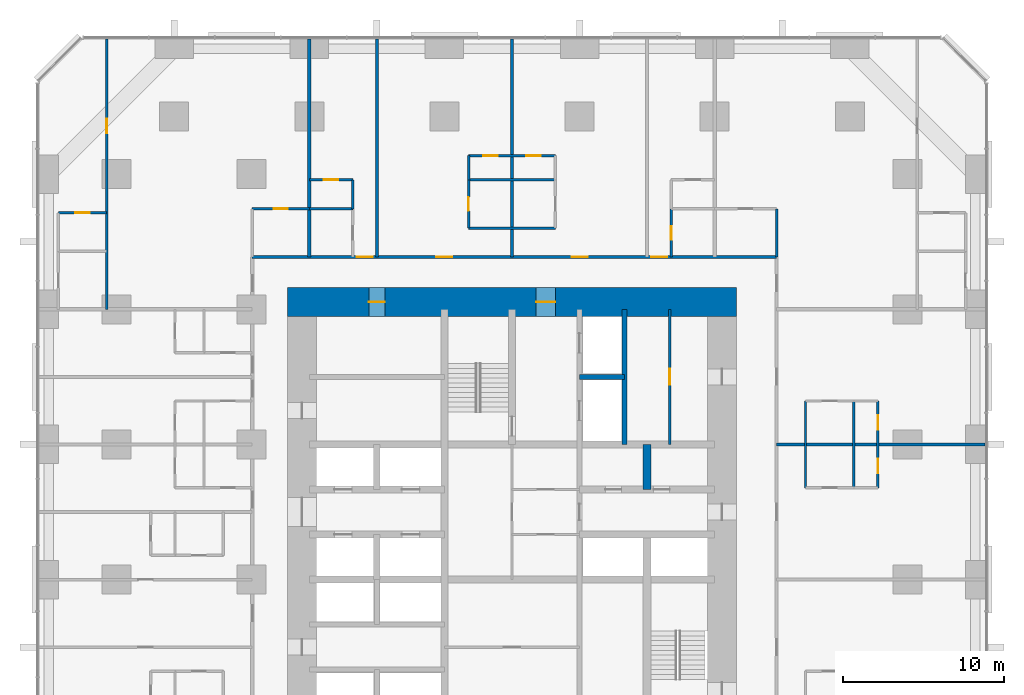
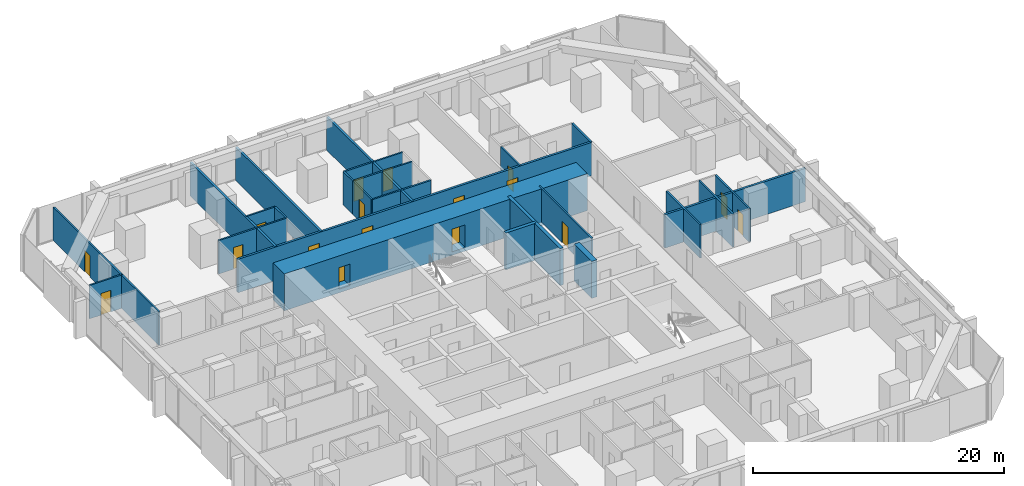
# One storey, part 15 of 17: 26 walls, 17 doors, 17 openings.
"""IFC4 building model written with IfcOpenShell, lengths in metres."""

from ifc_helpers import new_model, si_unit, direction, frame, frame_2d, origin, place, context, subcontext, project, spatial, rectangle, extrude, material, layer, layer_set, type_object, element, fill, save


model = new_model("IFC4")

# Units and contexts
model_context = context("Model", 3, precision=1e-05, world=origin(), true_north=direction((0.0, 1.0)))
body_context = subcontext(model_context, "Body", "Model", "MODEL_VIEW")
ifc_project = project(units=[si_unit("LENGTHUNIT", "METRE"), si_unit("AREAUNIT", "SQUARE_METRE"), si_unit("VOLUMEUNIT", "CUBIC_METRE"), si_unit("PLANEANGLEUNIT", "RADIAN"), si_unit("MASSUNIT", "GRAM", prefix="KILO")], contexts=[model_context])

# Site, building, storey
site_placement = place(None, origin())
site = spatial("IfcSite", under=ifc_project, at=site_placement, CompositionType="ELEMENT")
building_placement = place(site_placement, origin())
building = spatial("IfcBuilding", under=site, at=building_placement, Name="Dunama Terrace Hotel", CompositionType="ELEMENT")
storey_placement = place(building_placement, frame((0.0, 0.0, 41.39990234375)))
storey = spatial("IfcBuildingStorey", under=building, at=storey_placement, Name="L09", CompositionType="ELEMENT", Elevation=41.39990234375)

# Wall, opening, door
ifc_material_1 = material(Name="Gypsum board partition", Category="masonry")
ifc_layer_1 = layer(ifc_material_1, 0.14990234375)
ifc_layer_set_1 = layer_set([ifc_layer_1], Name="Bathroom partition 150")
wall_type_1 = type_object("IfcWallType", Name="Bathroom partition 150", PredefinedType="PARTITIONING", material=ifc_layer_set_1)
wall_1_placement = place(storey_placement, frame((26.699951171875, 47.050048828125, 0.0), z_axis=(0.0, 0.0, 1.0), x_axis=(0.0, 1.0, 0.0)))
wall_1 = element("IfcWall", 1, at=wall_1_placement, inside=storey, type_object=wall_type_1, Name="Bathroom partition 150 L09", PredefinedType="PARTITIONING", context=body_context, shape_type="SweptSolid", body=[
    extrude(rectangle(XDim=3.0, YDim=0.14990234375, at=frame_2d((1.5, 0.0))), origin(), (0.0, 0.0, 1.0), 3.25),
])
opening_1_placement = place(wall_1_placement, frame((1.074951171875, 0.0, 0.0)))
opening_1 = element("IfcOpeningElement", 2, at=opening_1_placement, cuts=wall_1, Name="Opening L07-09-034", PredefinedType="OPENING", context=body_context, shape_type="SweptSolid", body=[
    extrude(rectangle(XDim=0.85009765625, YDim=2.10009765625, at=frame_2d((0.425048828125, 1.050048828125))), frame((0.0, 0.0849609375, 0.0), z_axis=(0.0, -1.0, 0.0), x_axis=(1.0, 0.0, 0.0)), (0.0, 0.0, 1.0), 0.169921875),
])
ifc_material_2 = material(Name="Timber door with steel frame", Category="steel")
door_type_1 = type_object("IfcDoorType", Name="Bathroom door 850", OperationType="SINGLE_SWING_LEFT", PredefinedType="DOOR", material=ifc_material_2)
door_1_placement = place(opening_1_placement, frame((0.85009765625, 0.0, 0.0), z_axis=(0.0, 0.0, 1.0), x_axis=(-1.0, 0.0, 0.0)))
door_1 = element("IfcDoor", 3, at=door_1_placement, inside=storey, type_object=door_type_1, Name="Door to en-suite bathroom L07-09-034, type D2", OperationType="SINGLE_SWING_LEFT", OverallHeight=2.10009765625, OverallWidth=0.85009765625, PredefinedType="DOOR", context=body_context, shape_type="SweptSolid", body=[
    extrude(rectangle(XDim=0.85009765625, YDim=2.10009765625, at=frame_2d((0.425048828125, 1.050048828125))), frame((0.0, 0.025146484375, 0.0), z_axis=(0.0, -1.0, 0.0), x_axis=(1.0, 0.0, 0.0)), (0.0, 0.0, 1.0), 0.050048828125),
])
fill(opening_1, door_1)

wall_2_placement = place(storey_placement, frame((39.300048828125, 45.25, 0.0), z_axis=(0.0, 0.0, 1.0), x_axis=(0.0, 1.0, 0.0)))
wall_2 = element("IfcWall", 4, at=wall_2_placement, inside=storey, type_object=wall_type_1, Name="Bathroom partition 150 L09", PredefinedType="PARTITIONING", context=body_context, shape_type="SweptSolid", body=[
    extrude(rectangle(XDim=3.0, YDim=0.14990234375, at=frame_2d((1.5, 0.0))), origin(), (0.0, 0.0, 1.0), 3.25),
])
opening_2_placement = place(wall_2_placement, frame((1.074951171875, 0.0, 0.0)))
opening_2 = element("IfcOpeningElement", 5, at=opening_2_placement, cuts=wall_2, Name="Opening L07-09-040", PredefinedType="OPENING", context=body_context, shape_type="SweptSolid", body=[
    extrude(rectangle(XDim=0.85009765625, YDim=2.10009765625, at=frame_2d((0.425048828125, 1.050048828125))), frame((0.0, 0.0849609375, 0.0), z_axis=(0.0, -1.0, 0.0), x_axis=(1.0, 0.0, 0.0)), (0.0, 0.0, 1.0), 0.169921875),
])
door_2_placement = place(opening_2_placement, frame((0.85009765625, 0.0, 0.0), z_axis=(0.0, 0.0, 1.0), x_axis=(-1.0, 0.0, 0.0)))
door_2 = element("IfcDoor", 6, at=door_2_placement, inside=storey, type_object=door_type_1, Name="Door to en-suite bathroom L07-09-040, type D2", OperationType="SINGLE_SWING_RIGHT", OverallHeight=2.10009765625, OverallWidth=0.85009765625, PredefinedType="DOOR", context=body_context, shape_type="SweptSolid", body=[
    extrude(rectangle(XDim=0.85009765625, YDim=2.10009765625, at=frame_2d((0.425048828125, 1.050048828125))), frame((0.0, 0.025146484375, 0.0), z_axis=(0.0, -1.0, 0.0), x_axis=(1.0, 0.0, 0.0)), (0.0, 0.0, 1.0), 0.050048828125),
])
fill(opening_2, door_2)

# Walls
wall_3_placement = place(storey_placement, frame((45.85009765625, 45.25, 0.0), z_axis=(0.0, 0.0, 1.0), x_axis=(0.0, 1.0, 0.0)))
element("IfcWall", 7, at=wall_3_placement, inside=storey, type_object=wall_type_1, Name="Bathroom partition 150 L09", PredefinedType="PARTITIONING", context=body_context, shape_type="SweptSolid", body=[
    extrude(rectangle(XDim=3.0, YDim=0.14990234375, at=frame_2d((1.5, 0.0))), origin(), (0.0, 0.0, 1.0), 3.25),
])
for number, where, z_axis, x_axis, name in (
    (8, (47.64990234375, 30.89990234375, 0.0), (0.0, 0.0, 1.0), (0.0, 1.0, 0.0), "Bathroom partition 150 L09"),
    (9, (26.699951171875, 47.050048828125, 0.0), (0.0, 0.0, 1.0), (1.0, 0.0, 0.0), "Bathroom partition 150 L09"),
):
    element("IfcWall", number, at=place(storey_placement, frame(where, z_axis=z_axis, x_axis=x_axis)), inside=storey, type_object=wall_type_1, Name=name, PredefinedType="PARTITIONING", context=body_context, shape_type="SweptSolid", body=[
        extrude(rectangle(XDim=5.400146484375, YDim=0.14990234375, at=frame_2d((2.7001953125, 0.0))), origin(), (0.0, 0.0, 1.0), 3.25),
    ])

# Wall, opening, door
wall_4_placement = place(storey_placement, frame((13.25, 48.25, 0.0), z_axis=(0.0, 0.0, 1.0), x_axis=(1.0, 0.0, 0.0)))
wall_4 = element("IfcWall", 10, at=wall_4_placement, inside=storey, type_object=wall_type_1, Name="Bathroom partition 150 L09", PredefinedType="PARTITIONING", context=body_context, shape_type="SweptSolid", body=[
    extrude(rectangle(XDim=3.550048828125, YDim=0.14990234375, at=frame_2d((1.77490234375, 0.0))), origin(), (0.0, 0.0, 1.0), 3.25),
])
opening_3_placement = place(wall_4_placement, frame((1.35009765625, 0.0, 0.0)))
opening_3 = element("IfcOpeningElement", 11, at=opening_3_placement, cuts=wall_4, Name="Opening L07-09-074", PredefinedType="OPENING", context=body_context, shape_type="SweptSolid", body=[
    extrude(rectangle(XDim=0.85009765625, YDim=2.10009765625, at=frame_2d((0.425048828125, 1.050048828125))), frame((0.0, 0.0849609375, 0.0), z_axis=(0.0, -1.0, 0.0), x_axis=(1.0, 0.0, 0.0)), (0.0, 0.0, 1.0), 0.169921875),
])
door_3_placement = place(opening_3_placement, frame((0.85009765625, 0.0, 0.0), z_axis=(0.0, 0.0, 1.0), x_axis=(-1.0, 0.0, 0.0)))
door_3 = element("IfcDoor", 12, at=door_3_placement, inside=storey, type_object=door_type_1, Name="Door to powder room L07-09-074, type D2", OperationType="SINGLE_SWING_LEFT", OverallHeight=2.10009765625, OverallWidth=0.85009765625, PredefinedType="DOOR", context=body_context, shape_type="SweptSolid", body=[
    extrude(rectangle(XDim=0.85009765625, YDim=2.10009765625, at=frame_2d((0.425048828125, 1.050048828125))), frame((0.0, 0.025146484375, 0.0), z_axis=(0.0, -1.0, 0.0), x_axis=(1.0, 0.0, 0.0)), (0.0, 0.0, 1.0), 0.050048828125),
])
fill(opening_3, door_3)

# Walls
ifc_material_3 = material(Name="Concrete C50/60", Category="concrete")
ifc_layer_2 = layer(ifc_material_3, 0.300048828125)
ifc_layer_set_2 = layer_set([ifc_layer_2], Name="Core inner wall 300")
wall_type_2 = type_object("IfcWallType", Name="Core inner wall 300", PredefinedType="SHEAR", material=ifc_layer_set_2)
wall_5_placement = place(storey_placement, frame((36.39990234375, 33.60009765625, -0.349853515625), z_axis=(0.0, 0.0, 1.0), x_axis=(0.0, 1.0, 0.0)))
element("IfcWall", 13, at=wall_5_placement, inside=storey, type_object=wall_type_2, Name="Core inner wall 300 L09", PredefinedType="SHEAR", context=body_context, shape_type="SweptSolid", body=[
    extrude(rectangle(XDim=8.39990234375, YDim=0.300048828125, at=frame_2d((4.199951171875, 0.0))), origin(), (0.0, 0.0, 1.0), 3.599853515625),
])
wall_6_placement = place(storey_placement, frame((33.60009765625, 37.800048828125, -0.349853515625), z_axis=(0.0, 0.0, 1.0), x_axis=(1.0, 0.0, 0.0)))
element("IfcWall", 14, at=wall_6_placement, inside=storey, type_object=wall_type_2, Name="Core inner wall 300 L09", PredefinedType="SHEAR", context=body_context, shape_type="SweptSolid", body=[
    extrude(rectangle(XDim=2.7998046875, YDim=0.300048828125, at=frame_2d((1.39990234375, 0.0))), origin(), (0.0, 0.0, 1.0), 3.599853515625),
])
ifc_material_4 = material(Name="Concrete C50/60", Category="concrete")
ifc_layer_3 = layer(ifc_material_4, 0.5)
ifc_layer_set_3 = layer_set([ifc_layer_3], Name="Core inner wall 500")
wall_type_3 = type_object("IfcWallType", Name="Core inner wall 500", PredefinedType="SHEAR", material=ifc_layer_set_3)
wall_7_placement = place(storey_placement, frame((37.800048828125, 30.800048828125, -0.349853515625), z_axis=(0.0, 0.0, 1.0), x_axis=(0.0, 1.0, 0.0)))
element("IfcWall", 15, at=wall_7_placement, inside=storey, type_object=wall_type_3, Name="Core inner wall 500 L09", PredefinedType="SHEAR", context=body_context, shape_type="SweptSolid", body=[
    extrude(rectangle(XDim=2.800048828125, YDim=0.5, at=frame_2d((1.39990234375, 0.0))), origin(), (0.0, 0.0, 1.0), 3.599853515625),
])

# Wall, openings, doors
ifc_material_5 = material(Name="Concrete C60/75", Category="concrete")
ifc_layer_4 = layer(ifc_material_5, 1.800048828125)
ifc_layer_set_4 = layer_set([ifc_layer_4], Name="Core wall 1800")
wall_type_4 = type_object("IfcWallType", Name="Core wall 1800", PredefinedType="SHEAR", material=ifc_layer_set_4)
wall_8_placement = place(storey_placement, frame((43.35009765625, 42.449951171875, -0.349853515625), z_axis=(0.0, 0.0, 1.0), x_axis=(-1.0, 0.0, 0.0)))
wall_8 = element("IfcWall", 16, at=wall_8_placement, inside=storey, type_object=wall_type_4, Name="Core wall north L09", PredefinedType="SHEAR", context=body_context, shape_type="SweptSolid", body=[
    extrude(rectangle(XDim=27.900146484375, YDim=1.800048828125, at=frame_2d((13.9501953125, 0.0))), origin(), (0.0, 0.0, 1.0), 3.599853515625),
])
opening_4_placement = place(wall_8_placement, frame((21.85009765625, 0.0, 0.35009765625)))
opening_4 = element("IfcOpeningElement", 17, at=opening_4_placement, cuts=wall_8, Name="Opening L07-09-081", PredefinedType="OPENING", context=body_context, shape_type="SweptSolid", body=[
    extrude(rectangle(XDim=1.0, YDim=2.10009765625, at=frame_2d((0.5, 1.050048828125))), frame((0.0, 0.909912109375, 0.0), z_axis=(0.0, -1.0, 0.0), x_axis=(1.0, 0.0, 0.0)), (0.0, 0.0, 1.0), 1.820068359375),
])
opening_5_placement = place(wall_8_placement, frame((11.25, 0.0, 0.35009765625)))
opening_5 = element("IfcOpeningElement", 18, at=opening_5_placement, cuts=wall_8, Name="Opening L07-09-089", PredefinedType="OPENING", context=body_context, shape_type="SweptSolid", body=[
    extrude(rectangle(XDim=1.199951171875, YDim=2.199951171875, at=frame_2d((0.60009765625, 1.10009765625))), frame((0.0, 0.909912109375, 0.0), z_axis=(0.0, -1.0, 0.0), x_axis=(1.0, 0.0, 0.0)), (0.0, 0.0, 1.0), 1.820068359375),
])
ifc_material_6 = material(Name="Timber door with steel frame", Category="steel")
door_type_2 = type_object("IfcDoorType", Name="Firefighting lobby door 1200", OperationType="SINGLE_SWING_LEFT", PredefinedType="DOOR", material=ifc_material_6)
door_4_placement = place(opening_5_placement, origin())
door_4 = element("IfcDoor", 19, at=door_4_placement, inside=storey, type_object=door_type_2, Name="Door to firefighting lobby L07-09-089, type D4", OperationType="SINGLE_SWING_RIGHT", OverallHeight=2.199951171875, OverallWidth=1.199951171875, PredefinedType="DOOR", context=body_context, shape_type="SweptSolid", body=[
    extrude(rectangle(XDim=1.199951171875, YDim=2.199951171875, at=frame_2d((0.60009765625, 1.10009765625))), frame((0.0, 0.02490234375, 0.0), z_axis=(0.0, -1.0, 0.0), x_axis=(1.0, 0.0, 0.0)), (0.0, 0.0, 1.0), 0.050048828125),
])
fill(opening_5, door_4)
ifc_material_7 = material(Name="Timber door with steel frame", Category="steel")
door_type_3 = type_object("IfcDoorType", Name="Service door 1000", OperationType="SINGLE_SWING_LEFT", PredefinedType="DOOR", material=ifc_material_7)
door_5_placement = place(opening_4_placement, origin())
door_5 = element("IfcDoor", 20, at=door_5_placement, inside=storey, type_object=door_type_3, Name="Door to communications and riser room L07-09-081, type D7", OperationType="SINGLE_SWING_LEFT", OverallHeight=2.10009765625, OverallWidth=1.0, PredefinedType="DOOR", context=body_context, shape_type="SweptSolid", body=[
    extrude(rectangle(XDim=1.0, YDim=2.10009765625, at=frame_2d((0.5, 1.050048828125))), frame((0.0, 0.02490234375, 0.0), z_axis=(0.0, -1.0, 0.0), x_axis=(1.0, 0.0, 0.0)), (0.0, 0.0, 1.0), 0.050048828125),
])
fill(opening_4, door_5)

ifc_material_8 = material(Name="Concrete blockwork", Category="masonry")
ifc_layer_5 = layer(ifc_material_8, 0.199951171875)
ifc_layer_set_5 = layer_set([ifc_layer_5], Name="Corridor partition 200")
wall_type_5 = type_object("IfcWallType", Name="Corridor partition 200", PredefinedType="PARTITIONING", material=ifc_layer_set_5)
wall_9_placement = place(storey_placement, frame((13.25, 45.25, 0.0), z_axis=(0.0, 0.0, 1.0), x_axis=(1.0, 0.0, 0.0)))
wall_9 = element("IfcWall", 21, at=wall_9_placement, inside=storey, type_object=wall_type_5, Name="Corridor partition 200 L09", PredefinedType="PARTITIONING", context=body_context, shape_type="SweptSolid", body=[
    extrude(rectangle(XDim=32.60009765625, YDim=0.199951171875, at=frame_2d((16.300048828125, 0.0))), origin(), (0.0, 0.0, 1.0), 3.25),
])
opening_6_placement = place(wall_9_placement, frame((6.5, 0.0, 0.0)))
opening_6 = element("IfcOpeningElement", 22, at=opening_6_placement, cuts=wall_9, Name="Opening L07-09-030", PredefinedType="OPENING", context=body_context, shape_type="SweptSolid", body=[
    extrude(rectangle(XDim=1.0, YDim=2.199951171875, at=frame_2d((0.5, 1.10009765625))), frame((0.0, 0.10986328125, 0.0), z_axis=(0.0, -1.0, 0.0), x_axis=(1.0, 0.0, 0.0)), (0.0, 0.0, 1.0), 0.219970703125),
])
opening_7_placement = place(wall_9_placement, frame((11.449951171875, 0.0, 0.0)))
opening_7 = element("IfcOpeningElement", 23, at=opening_7_placement, cuts=wall_9, Name="Opening L07-09-033", PredefinedType="OPENING", context=body_context, shape_type="SweptSolid", body=[
    extrude(rectangle(XDim=1.0, YDim=2.199951171875, at=frame_2d((0.5, 1.10009765625))), frame((0.0, 0.10986328125, 0.0), z_axis=(0.0, -1.0, 0.0), x_axis=(1.0, 0.0, 0.0)), (0.0, 0.0, 1.0), 0.219970703125),
])
opening_8_placement = place(wall_9_placement, frame((19.85009765625, 0.0, 0.0)))
opening_8 = element("IfcOpeningElement", 24, at=opening_8_placement, cuts=wall_9, Name="Opening L07-09-036", PredefinedType="OPENING", context=body_context, shape_type="SweptSolid", body=[
    extrude(rectangle(XDim=1.0, YDim=2.199951171875, at=frame_2d((0.5, 1.10009765625))), frame((0.0, 0.10986328125, 0.0), z_axis=(0.0, -1.0, 0.0), x_axis=(1.0, 0.0, 0.0)), (0.0, 0.0, 1.0), 0.219970703125),
])
opening_9_placement = place(wall_9_placement, frame((24.800048828125, 0.0, 0.0)))
opening_9 = element("IfcOpeningElement", 25, at=opening_9_placement, cuts=wall_9, Name="Opening L07-09-039", PredefinedType="OPENING", context=body_context, shape_type="SweptSolid", body=[
    extrude(rectangle(XDim=1.0, YDim=2.199951171875, at=frame_2d((0.5, 1.10009765625))), frame((0.0, 0.10986328125, 0.0), z_axis=(0.0, -1.0, 0.0), x_axis=(1.0, 0.0, 0.0)), (0.0, 0.0, 1.0), 0.219970703125),
])
ifc_material_9 = material(Name="Timber door with steel frame", Category="steel")
door_type_4 = type_object("IfcDoorType", Name="Guest room door 1000", OperationType="SINGLE_SWING_LEFT", PredefinedType="DOOR", material=ifc_material_9)
door_6_placement = place(opening_6_placement, origin())
door_6 = element("IfcDoor", 26, at=door_6_placement, inside=storey, type_object=door_type_4, Name="Door to deluxe room L07-09-030, type D1", OperationType="SINGLE_SWING_RIGHT", OverallHeight=2.199951171875, OverallWidth=1.0, PredefinedType="DOOR", context=body_context, shape_type="SweptSolid", body=[
    extrude(rectangle(XDim=1.0, YDim=2.199951171875, at=frame_2d((0.5, 1.10009765625))), frame((0.0, 0.02490234375, 0.0), z_axis=(0.0, -1.0, 0.0), x_axis=(1.0, 0.0, 0.0)), (0.0, 0.0, 1.0), 0.050048828125),
])
fill(opening_6, door_6)
door_7_placement = place(opening_7_placement, origin())
door_7 = element("IfcDoor", 27, at=door_7_placement, inside=storey, type_object=door_type_4, Name="Door to junior suite L07-09-033, type D1", OperationType="SINGLE_SWING_RIGHT", OverallHeight=2.199951171875, OverallWidth=1.0, PredefinedType="DOOR", context=body_context, shape_type="SweptSolid", body=[
    extrude(rectangle(XDim=1.0, YDim=2.199951171875, at=frame_2d((0.5, 1.10009765625))), frame((0.0, 0.02490234375, 0.0), z_axis=(0.0, -1.0, 0.0), x_axis=(1.0, 0.0, 0.0)), (0.0, 0.0, 1.0), 0.050048828125),
])
fill(opening_7, door_7)
door_8_placement = place(opening_8_placement, origin())
door_8 = element("IfcDoor", 28, at=door_8_placement, inside=storey, type_object=door_type_4, Name="Door to junior suite L07-09-036, type D1", OperationType="SINGLE_SWING_LEFT", OverallHeight=2.199951171875, OverallWidth=1.0, PredefinedType="DOOR", context=body_context, shape_type="SweptSolid", body=[
    extrude(rectangle(XDim=1.0, YDim=2.199951171875, at=frame_2d((0.5, 1.10009765625))), frame((0.0, 0.02490234375, 0.0), z_axis=(0.0, -1.0, 0.0), x_axis=(1.0, 0.0, 0.0)), (0.0, 0.0, 1.0), 0.050048828125),
])
fill(opening_8, door_8)
door_9_placement = place(opening_9_placement, origin())
door_9 = element("IfcDoor", 29, at=door_9_placement, inside=storey, type_object=door_type_4, Name="Door to deluxe room L07-09-039, type D1", OperationType="SINGLE_SWING_LEFT", OverallHeight=2.199951171875, OverallWidth=1.0, PredefinedType="DOOR", context=body_context, shape_type="SweptSolid", body=[
    extrude(rectangle(XDim=1.0, YDim=2.199951171875, at=frame_2d((0.5, 1.10009765625))), frame((0.0, 0.02490234375, 0.0), z_axis=(0.0, -1.0, 0.0), x_axis=(1.0, 0.0, 0.0)), (0.0, 0.0, 1.0), 0.050048828125),
])
fill(opening_9, door_9)

# Walls
ifc_material_10 = material(Name="Concrete blockwork", Category="masonry")
ifc_layer_6 = layer(ifc_material_10, 0.199951171875)
ifc_layer_set_6 = layer_set([ifc_layer_6], Name="Party wall 200")
wall_type_6 = type_object("IfcWallType", Name="Party wall 200", PredefinedType="PARTITIONING", material=ifc_layer_set_6)
for number, where, z_axis, x_axis, name in (
    (30, (16.800048828125, 45.25, 0.0), (0.0, 0.0, 1.0), (0.0, 1.0, 0.0), "Party wall 200 L09"),
    (31, (21.0, 45.25, 0.0), (0.0, 0.0, 1.0), (0.0, 1.0, 0.0), "Party wall 200 L09"),
    (32, (29.39990234375, 45.25, 0.0), (0.0, 0.0, 1.0), (0.0, 1.0, 0.0), "Party wall 200 L09"),
):
    element("IfcWall", number, at=place(storey_placement, frame(where, z_axis=z_axis, x_axis=x_axis)), inside=storey, type_object=wall_type_6, Name=name, PredefinedType="PARTITIONING", context=body_context, shape_type="SweptSolid", body=[
        extrude(rectangle(XDim=13.55810546875, YDim=0.199951171875, at=frame_2d((6.779052734375, 0.0))), origin(), (0.0, 0.0, 1.0), 3.25),
    ])
wall_10_placement = place(storey_placement, frame((45.85009765625, 33.60009765625, 0.0), z_axis=(0.0, 0.0, 1.0), x_axis=(1.0, 0.0, 0.0)))
element("IfcWall", 33, at=wall_10_placement, inside=storey, type_object=wall_type_6, Name="Party wall 200 L09", PredefinedType="PARTITIONING", context=body_context, shape_type="SweptSolid", body=[
    extrude(rectangle(XDim=12.9580078125, YDim=0.199951171875, at=frame_2d((6.47900390625, 0.0))), origin(), (0.0, 0.0, 1.0), 3.25),
])

# Wall, opening, door
ifc_material_11 = material(Name="Gypsum board partition", Category="masonry")
ifc_layer_7 = layer(ifc_material_11, 0.14990234375)
ifc_layer_set_7 = layer_set([ifc_layer_7], Name="Room partition 150")
wall_type_7 = type_object("IfcWallType", Name="Room partition 150", PredefinedType="PARTITIONING", material=ifc_layer_set_7)
wall_11_placement = place(storey_placement, frame((4.199951171875, 42.0, 0.0), z_axis=(0.0, 0.0, 1.0), x_axis=(0.0, 1.0, 0.0)))
wall_11 = element("IfcWall", 34, at=wall_11_placement, inside=storey, type_object=wall_type_7, Name="Room partition 150 L09", PredefinedType="PARTITIONING", context=body_context, shape_type="SweptSolid", body=[
    extrude(rectangle(XDim=16.80810546875, YDim=0.14990234375, at=frame_2d((8.404052734375, 0.0))), origin(), (0.0, 0.0, 1.0), 3.25),
])
opening_10_placement = place(wall_11_placement, frame((10.949951171875, 0.0, 0.0)))
opening_10 = element("IfcOpeningElement", 35, at=opening_10_placement, cuts=wall_11, Name="Opening L07-09-075", PredefinedType="OPENING", context=body_context, shape_type="SweptSolid", body=[
    extrude(rectangle(XDim=0.89990234375, YDim=2.10009765625, at=frame_2d((0.449951171875, 1.050048828125))), frame((0.0, 0.0849609375, 0.0), z_axis=(0.0, -1.0, 0.0), x_axis=(1.0, 0.0, 0.0)), (0.0, 0.0, 1.0), 0.169921875),
])
ifc_material_12 = material(Name="Timber door with steel frame", Category="steel")
door_type_5 = type_object("IfcDoorType", Name="Suite internal door 900", OperationType="SINGLE_SWING_LEFT", PredefinedType="DOOR", material=ifc_material_12)
door_10_placement = place(opening_10_placement, origin())
door_10 = element("IfcDoor", 36, at=door_10_placement, inside=storey, type_object=door_type_5, Name="Door to corner suite bedroom L07-09-075, type D16", OperationType="SINGLE_SWING_LEFT", OverallHeight=2.10009765625, OverallWidth=0.89990234375, PredefinedType="DOOR", context=body_context, shape_type="SweptSolid", body=[
    extrude(rectangle(XDim=0.89990234375, YDim=2.10009765625, at=frame_2d((0.449951171875, 1.050048828125))), frame((0.0, 0.02490234375, 0.0), z_axis=(0.0, -1.0, 0.0), x_axis=(1.0, 0.0, 0.0)), (0.0, 0.0, 1.0), 0.050048828125),
])
fill(opening_10, door_10)

# Walls
wall_12_placement = place(storey_placement, frame((19.5, 48.25, 0.0), z_axis=(0.0, 0.0, 1.0), x_axis=(0.0, 1.0, 0.0)))
element("IfcWall", 37, at=wall_12_placement, inside=storey, type_object=wall_type_7, Name="Room partition 150 L09", PredefinedType="PARTITIONING", context=body_context, shape_type="SweptSolid", body=[
    extrude(rectangle(XDim=1.800048828125, YDim=0.14990234375, at=frame_2d((0.89990234375, 0.0))), origin(), (0.0, 0.0, 1.0), 3.25),
])
wall_13_placement = place(storey_placement, frame((26.699951171875, 50.050048828125, 0.0), z_axis=(0.0, 0.0, 1.0), x_axis=(0.0, 1.0, 0.0)))
element("IfcWall", 38, at=wall_13_placement, inside=storey, type_object=wall_type_7, Name="Room partition 150 L09", PredefinedType="PARTITIONING", context=body_context, shape_type="SweptSolid", body=[
    extrude(rectangle(XDim=1.5, YDim=0.14990234375, at=frame_2d((0.75, 0.0))), origin(), (0.0, 0.0, 1.0), 3.25),
])

# Wall, opening, door
wall_14_placement = place(storey_placement, frame((39.199951171875, 33.60009765625, 0.0), z_axis=(0.0, 0.0, 1.0), x_axis=(0.0, 1.0, 0.0)))
wall_14 = element("IfcWall", 39, at=wall_14_placement, inside=storey, type_object=wall_type_7, Name="Room partition 150 L09", PredefinedType="PARTITIONING", context=body_context, shape_type="SweptSolid", body=[
    extrude(rectangle(XDim=8.39990234375, YDim=0.14990234375, at=frame_2d((4.199951171875, 0.0))), origin(), (0.0, 0.0, 1.0), 3.25),
])
opening_11_placement = place(wall_14_placement, frame((3.699951171875, 0.0, 0.0)))
opening_11 = element("IfcOpeningElement", 40, at=opening_11_placement, cuts=wall_14, Name="Opening L07-09-091", PredefinedType="OPENING", context=body_context, shape_type="SweptSolid", body=[
    extrude(rectangle(XDim=1.0, YDim=2.10009765625, at=frame_2d((0.5, 1.050048828125))), frame((0.0, 0.0849609375, 0.0), z_axis=(0.0, -1.0, 0.0), x_axis=(1.0, 0.0, 0.0)), (0.0, 0.0, 1.0), 0.169921875),
])
door_11_placement = place(opening_11_placement, frame((1.0, 0.0, 0.0), z_axis=(0.0, 0.0, 1.0), x_axis=(-1.0, 0.0, 0.0)))
door_11 = element("IfcDoor", 41, at=door_11_placement, inside=storey, type_object=door_type_3, Name="Door to guest amenities store L07-09-091, type D7", OperationType="SINGLE_SWING_RIGHT", OverallHeight=2.10009765625, OverallWidth=1.0, PredefinedType="DOOR", context=body_context, shape_type="SweptSolid", body=[
    extrude(rectangle(XDim=1.0, YDim=2.10009765625, at=frame_2d((0.5, 1.050048828125))), frame((0.0, 0.025146484375, 0.0), z_axis=(0.0, -1.0, 0.0), x_axis=(1.0, 0.0, 0.0)), (0.0, 0.0, 1.0), 0.050048828125),
])
fill(opening_11, door_11)

# Wall
wall_15_placement = place(storey_placement, frame((50.64990234375, 30.89990234375, 0.0), z_axis=(0.0, 0.0, 1.0), x_axis=(0.0, 1.0, 0.0)))
element("IfcWall", 42, at=wall_15_placement, inside=storey, type_object=wall_type_7, Name="Room partition 150 L09", PredefinedType="PARTITIONING", context=body_context, shape_type="SweptSolid", body=[
    extrude(rectangle(XDim=5.400146484375, YDim=0.14990234375, at=frame_2d((2.7001953125, 0.0))), origin(), (0.0, 0.0, 1.0), 3.25),
])

# Wall, openings, doors
wall_16_placement = place(storey_placement, frame((52.14990234375, 30.89990234375, 0.0), z_axis=(0.0, 0.0, 1.0), x_axis=(0.0, 1.0, 0.0)))
wall_16 = element("IfcWall", 43, at=wall_16_placement, inside=storey, type_object=wall_type_7, Name="Room partition 150 L09", PredefinedType="PARTITIONING", context=body_context, shape_type="SweptSolid", body=[
    extrude(rectangle(XDim=5.400146484375, YDim=0.14990234375, at=frame_2d((2.7001953125, 0.0))), origin(), (0.0, 0.0, 1.0), 3.25),
])
opening_12_placement = place(wall_16_placement, frame((0.89990234375, 0.0, 0.0)))
opening_12 = element("IfcOpeningElement", 44, at=opening_12_placement, cuts=wall_16, Name="Opening L07-09-026", PredefinedType="OPENING", context=body_context, shape_type="SweptSolid", body=[
    extrude(rectangle(XDim=0.89990234375, YDim=2.10009765625, at=frame_2d((0.449951171875, 1.050048828125))), frame((0.0, 0.0849609375, 0.0), z_axis=(0.0, -1.0, 0.0), x_axis=(1.0, 0.0, 0.0)), (0.0, 0.0, 1.0), 0.169921875),
])
opening_13_placement = place(wall_16_placement, frame((3.60009765625, 0.0, 0.0)))
opening_13 = element("IfcOpeningElement", 45, at=opening_13_placement, cuts=wall_16, Name="Opening L07-09-029", PredefinedType="OPENING", context=body_context, shape_type="SweptSolid", body=[
    extrude(rectangle(XDim=0.89990234375, YDim=2.10009765625, at=frame_2d((0.449951171875, 1.050048828125))), frame((0.0, 0.0849609375, 0.0), z_axis=(0.0, -1.0, 0.0), x_axis=(1.0, 0.0, 0.0)), (0.0, 0.0, 1.0), 0.169921875),
])
door_12_placement = place(opening_12_placement, origin())
door_12 = element("IfcDoor", 46, at=door_12_placement, inside=storey, type_object=door_type_5, Name="Door to walk-in wardrobe L07-09-026, type D16", OperationType="SINGLE_SWING_LEFT", OverallHeight=2.10009765625, OverallWidth=0.89990234375, PredefinedType="DOOR", context=body_context, shape_type="SweptSolid", body=[
    extrude(rectangle(XDim=0.89990234375, YDim=2.10009765625, at=frame_2d((0.449951171875, 1.050048828125))), frame((0.0, 0.02490234375, 0.0), z_axis=(0.0, -1.0, 0.0), x_axis=(1.0, 0.0, 0.0)), (0.0, 0.0, 1.0), 0.050048828125),
])
fill(opening_12, door_12)
door_13_placement = place(opening_13_placement, origin())
door_13 = element("IfcDoor", 47, at=door_13_placement, inside=storey, type_object=door_type_5, Name="Door to walk-in wardrobe L07-09-029, type D16", OperationType="SINGLE_SWING_LEFT", OverallHeight=2.10009765625, OverallWidth=0.89990234375, PredefinedType="DOOR", context=body_context, shape_type="SweptSolid", body=[
    extrude(rectangle(XDim=0.89990234375, YDim=2.10009765625, at=frame_2d((0.449951171875, 1.050048828125))), frame((0.0, 0.02490234375, 0.0), z_axis=(0.0, -1.0, 0.0), x_axis=(1.0, 0.0, 0.0)), (0.0, 0.0, 1.0), 0.050048828125),
])
fill(opening_13, door_13)

# Wall, opening, door
wall_17_placement = place(storey_placement, frame((1.199951171875, 48.0, 0.0), z_axis=(0.0, 0.0, 1.0), x_axis=(1.0, 0.0, 0.0)))
wall_17 = element("IfcWall", 48, at=wall_17_placement, inside=storey, type_object=wall_type_7, Name="Room partition 150 L09", PredefinedType="PARTITIONING", context=body_context, shape_type="SweptSolid", body=[
    extrude(rectangle(XDim=3.0, YDim=0.14990234375, at=frame_2d((1.5, 0.0))), origin(), (0.0, 0.0, 1.0), 3.25),
])
opening_14_placement = place(wall_17_placement, frame((1.050048828125, 0.0, 0.0)))
opening_14 = element("IfcOpeningElement", 49, at=opening_14_placement, cuts=wall_17, Name="Opening L07-09-077", PredefinedType="OPENING", context=body_context, shape_type="SweptSolid", body=[
    extrude(rectangle(XDim=0.89990234375, YDim=2.10009765625, at=frame_2d((0.449951171875, 1.050048828125))), frame((0.0, 0.0849609375, 0.0), z_axis=(0.0, -1.0, 0.0), x_axis=(1.0, 0.0, 0.0)), (0.0, 0.0, 1.0), 0.169921875),
])
door_14_placement = place(opening_14_placement, frame((0.89990234375, 0.0, 0.0), z_axis=(0.0, 0.0, 1.0), x_axis=(-1.0, 0.0, 0.0)))
door_14 = element("IfcDoor", 50, at=door_14_placement, inside=storey, type_object=door_type_5, Name="Door to dressing room L07-09-077, type D16", OperationType="SINGLE_SWING_RIGHT", OverallHeight=2.10009765625, OverallWidth=0.89990234375, PredefinedType="DOOR", context=body_context, shape_type="SweptSolid", body=[
    extrude(rectangle(XDim=0.89990234375, YDim=2.10009765625, at=frame_2d((0.449951171875, 1.050048828125))), frame((0.0, 0.025146484375, 0.0), z_axis=(0.0, -1.0, 0.0), x_axis=(1.0, 0.0, 0.0)), (0.0, 0.0, 1.0), 0.050048828125),
])
fill(opening_14, door_14)

# Wall
wall_18_placement = place(storey_placement, frame((16.800048828125, 48.25, 0.0), z_axis=(0.0, 0.0, 1.0), x_axis=(1.0, 0.0, 0.0)))
element("IfcWall", 51, at=wall_18_placement, inside=storey, type_object=wall_type_7, Name="Room partition 150 L09", PredefinedType="PARTITIONING", context=body_context, shape_type="SweptSolid", body=[
    extrude(rectangle(XDim=2.699951171875, YDim=0.14990234375, at=frame_2d((1.35009765625, 0.0))), origin(), (0.0, 0.0, 1.0), 3.25),
])

# Wall, opening, door
wall_19_placement = place(storey_placement, frame((16.800048828125, 50.050048828125, 0.0), z_axis=(0.0, 0.0, 1.0), x_axis=(1.0, 0.0, 0.0)))
wall_19 = element("IfcWall", 52, at=wall_19_placement, inside=storey, type_object=wall_type_7, Name="Room partition 150 L09", PredefinedType="PARTITIONING", context=body_context, shape_type="SweptSolid", body=[
    extrude(rectangle(XDim=2.699951171875, YDim=0.14990234375, at=frame_2d((1.35009765625, 0.0))), origin(), (0.0, 0.0, 1.0), 3.25),
])
opening_15_placement = place(wall_19_placement, frame((0.89990234375, 0.0, 0.0)))
opening_15 = element("IfcOpeningElement", 53, at=opening_15_placement, cuts=wall_19, Name="Opening L07-09-032", PredefinedType="OPENING", context=body_context, shape_type="SweptSolid", body=[
    extrude(rectangle(XDim=0.89990234375, YDim=2.10009765625, at=frame_2d((0.449951171875, 1.050048828125))), frame((0.0, 0.0849609375, 0.0), z_axis=(0.0, -1.0, 0.0), x_axis=(1.0, 0.0, 0.0)), (0.0, 0.0, 1.0), 0.169921875),
])
door_15_placement = place(opening_15_placement, frame((0.89990234375, 0.0, 0.0), z_axis=(0.0, 0.0, 1.0), x_axis=(-1.0, 0.0, 0.0)))
door_15 = element("IfcDoor", 54, at=door_15_placement, inside=storey, type_object=door_type_5, Name="Door to walk-in wardrobe L07-09-032, type D16", OperationType="SINGLE_SWING_RIGHT", OverallHeight=2.10009765625, OverallWidth=0.89990234375, PredefinedType="DOOR", context=body_context, shape_type="SweptSolid", body=[
    extrude(rectangle(XDim=0.89990234375, YDim=2.10009765625, at=frame_2d((0.449951171875, 1.050048828125))), frame((0.0, 0.025146484375, 0.0), z_axis=(0.0, -1.0, 0.0), x_axis=(1.0, 0.0, 0.0)), (0.0, 0.0, 1.0), 0.050048828125),
])
fill(opening_15, door_15)

# Wall
wall_20_placement = place(storey_placement, frame((26.699951171875, 50.050048828125, 0.0), z_axis=(0.0, 0.0, 1.0), x_axis=(1.0, 0.0, 0.0)))
element("IfcWall", 55, at=wall_20_placement, inside=storey, type_object=wall_type_7, Name="Room partition 150 L09", PredefinedType="PARTITIONING", context=body_context, shape_type="SweptSolid", body=[
    extrude(rectangle(XDim=5.400146484375, YDim=0.14990234375, at=frame_2d((2.7001953125, 0.0))), origin(), (0.0, 0.0, 1.0), 3.25),
])

# Wall, openings, doors
wall_21_placement = place(storey_placement, frame((26.699951171875, 51.550048828125, 0.0), z_axis=(0.0, 0.0, 1.0), x_axis=(1.0, 0.0, 0.0)))
wall_21 = element("IfcWall", 56, at=wall_21_placement, inside=storey, type_object=wall_type_7, Name="Room partition 150 L09", PredefinedType="PARTITIONING", context=body_context, shape_type="SweptSolid", body=[
    extrude(rectangle(XDim=5.400146484375, YDim=0.14990234375, at=frame_2d((2.7001953125, 0.0))), origin(), (0.0, 0.0, 1.0), 3.25),
])
opening_16_placement = place(wall_21_placement, frame((0.89990234375, 0.0, 0.0)))
opening_16 = element("IfcOpeningElement", 57, at=opening_16_placement, cuts=wall_21, Name="Opening L07-09-035", PredefinedType="OPENING", context=body_context, shape_type="SweptSolid", body=[
    extrude(rectangle(XDim=0.89990234375, YDim=2.10009765625, at=frame_2d((0.449951171875, 1.050048828125))), frame((0.0, 0.0849609375, 0.0), z_axis=(0.0, -1.0, 0.0), x_axis=(1.0, 0.0, 0.0)), (0.0, 0.0, 1.0), 0.169921875),
])
opening_17_placement = place(wall_21_placement, frame((3.60009765625, 0.0, 0.0)))
opening_17 = element("IfcOpeningElement", 58, at=opening_17_placement, cuts=wall_21, Name="Opening L07-09-038", PredefinedType="OPENING", context=body_context, shape_type="SweptSolid", body=[
    extrude(rectangle(XDim=0.89990234375, YDim=2.10009765625, at=frame_2d((0.449951171875, 1.050048828125))), frame((0.0, 0.0849609375, 0.0), z_axis=(0.0, -1.0, 0.0), x_axis=(1.0, 0.0, 0.0)), (0.0, 0.0, 1.0), 0.169921875),
])
door_16_placement = place(opening_16_placement, frame((0.89990234375, 0.0, 0.0), z_axis=(0.0, 0.0, 1.0), x_axis=(-1.0, 0.0, 0.0)))
door_16 = element("IfcDoor", 59, at=door_16_placement, inside=storey, type_object=door_type_5, Name="Door to walk-in wardrobe L07-09-035, type D16", OperationType="SINGLE_SWING_RIGHT", OverallHeight=2.10009765625, OverallWidth=0.89990234375, PredefinedType="DOOR", context=body_context, shape_type="SweptSolid", body=[
    extrude(rectangle(XDim=0.89990234375, YDim=2.10009765625, at=frame_2d((0.449951171875, 1.050048828125))), frame((0.0, 0.025146484375, 0.0), z_axis=(0.0, -1.0, 0.0), x_axis=(1.0, 0.0, 0.0)), (0.0, 0.0, 1.0), 0.050048828125),
])
fill(opening_16, door_16)
door_17_placement = place(opening_17_placement, frame((0.89990234375, 0.0, 0.0), z_axis=(0.0, 0.0, 1.0), x_axis=(-1.0, 0.0, 0.0)))
door_17 = element("IfcDoor", 60, at=door_17_placement, inside=storey, type_object=door_type_5, Name="Door to walk-in wardrobe L07-09-038, type D16", OperationType="SINGLE_SWING_RIGHT", OverallHeight=2.10009765625, OverallWidth=0.89990234375, PredefinedType="DOOR", context=body_context, shape_type="SweptSolid", body=[
    extrude(rectangle(XDim=0.89990234375, YDim=2.10009765625, at=frame_2d((0.449951171875, 1.050048828125))), frame((0.0, 0.025146484375, 0.0), z_axis=(0.0, -1.0, 0.0), x_axis=(1.0, 0.0, 0.0)), (0.0, 0.0, 1.0), 0.050048828125),
])
fill(opening_17, door_17)

save(model, "model.ifc")
